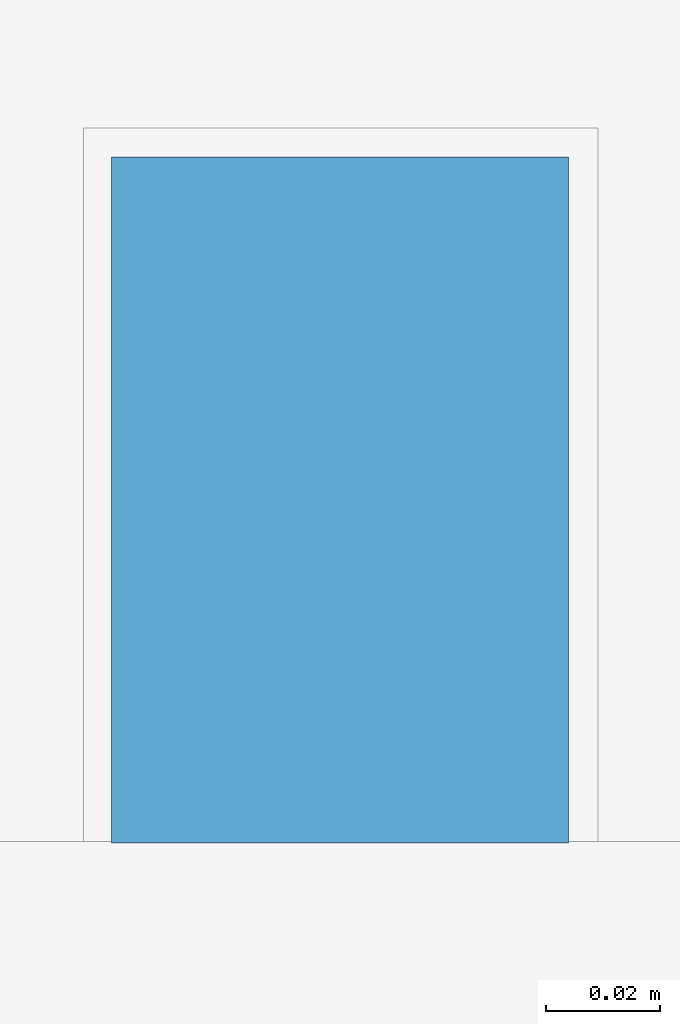
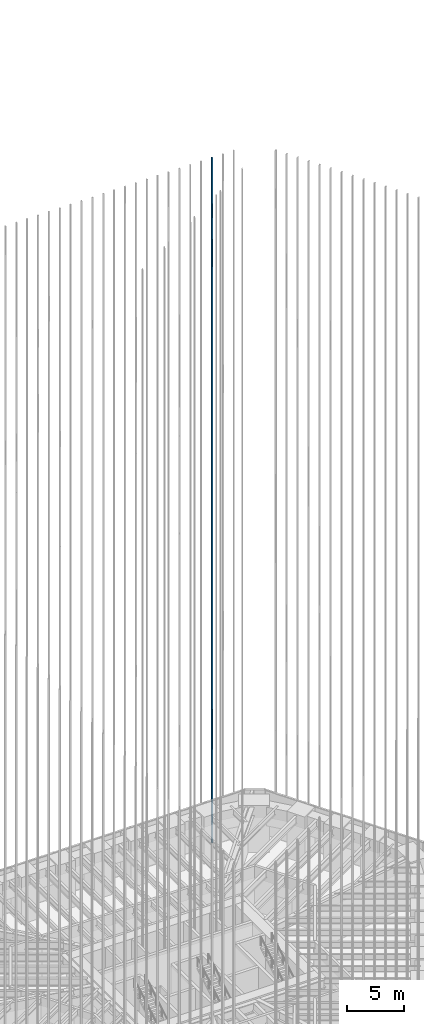
# One storey, part 213 of 228: 1 member, 1 element without a shape of its own.
"""IFC4 building model written with IfcOpenShell, lengths in metres."""

from ifc_helpers import new_model, si_unit, direction, frame, origin, origin_2d, place, context, subcontext, project, spatial, rectangle, extrude, material, material_profile, profile_set, type_object, element, aggregate, save


model = new_model("IFC4")

# Units and contexts
model_context = context("Model", 3, precision=1e-05, world=origin(), true_north=direction((0.0, 1.0)))
body_context = subcontext(model_context, "Body", "Model", "MODEL_VIEW")
ifc_project = project(units=[si_unit("LENGTHUNIT", "METRE"), si_unit("AREAUNIT", "SQUARE_METRE"), si_unit("VOLUMEUNIT", "CUBIC_METRE"), si_unit("PLANEANGLEUNIT", "RADIAN"), si_unit("MASSUNIT", "GRAM", prefix="KILO")], contexts=[model_context])

# Site, building, storey
site_placement = place(None, origin())
site = spatial("IfcSite", under=ifc_project, at=site_placement, CompositionType="ELEMENT")
building_placement = place(site_placement, origin())
building = spatial("IfcBuilding", under=site, at=building_placement, Name="Sandreach Pilgrim Tower", CompositionType="ELEMENT")
storey_placement = place(building_placement, frame((0.0, 0.0, 178.199951171875)))
storey = spatial("IfcBuildingStorey", under=building, at=storey_placement, Name="L44", CompositionType="ELEMENT", Elevation=178.199951171875)

# Curtain wall, member
ifc_material_1 = material(Name="Aluminium framed curtain wall", Category="aluminium")
curtain_wall_type = type_object("IfcCurtainWallType", Name="Upper hotel tower curtain wall", PredefinedType="NOTDEFINED", material=ifc_material_1)
curtain_wall_placement = place(storey_placement, origin())
curtain_wall = element("IfcCurtainWall", 1, at=curtain_wall_placement, inside=storey, type_object=curtain_wall_type, Name="CW-3 L44 N", PredefinedType="NOTDEFINED")
ifc_material_2 = material(Name="Extruded terracotta on aluminium core", Category="masonry")
ifc_material_profile = material_profile(ifc_material_2, rectangle(XDim=0.080078125, YDim=0.1201171875, at=origin_2d()), Name="TBN 80X120")
ifc_profile_set = profile_set([ifc_material_profile], Name="Extruded terracotta on aluminium core")
member_type = type_object("IfcMemberType", Name="Terracotta baguette north", PredefinedType="USERDEFINED", material=ifc_profile_set)
member_placement = place(storey_placement, frame((14.298095703125, 21.52001953125, 0.0), z_axis=(0.0, 0.0, 1.0), x_axis=(1.0, 0.0, 0.0)))
member = element("IfcMember", 2, at=member_placement, type_object=member_type, Name="Baguette Z3 N29", ObjectType="BAGUETTE", PredefinedType="USERDEFINED", context=body_context, shape_type="SweptSolid", body=[
    extrude(rectangle(XDim=0.080078125, YDim=0.1201171875, at=origin_2d()), origin(), (0.0, 0.0, 1.0), 73.239990234375),
])
aggregate(curtain_wall, [member])

save(model, "model.ifc")
